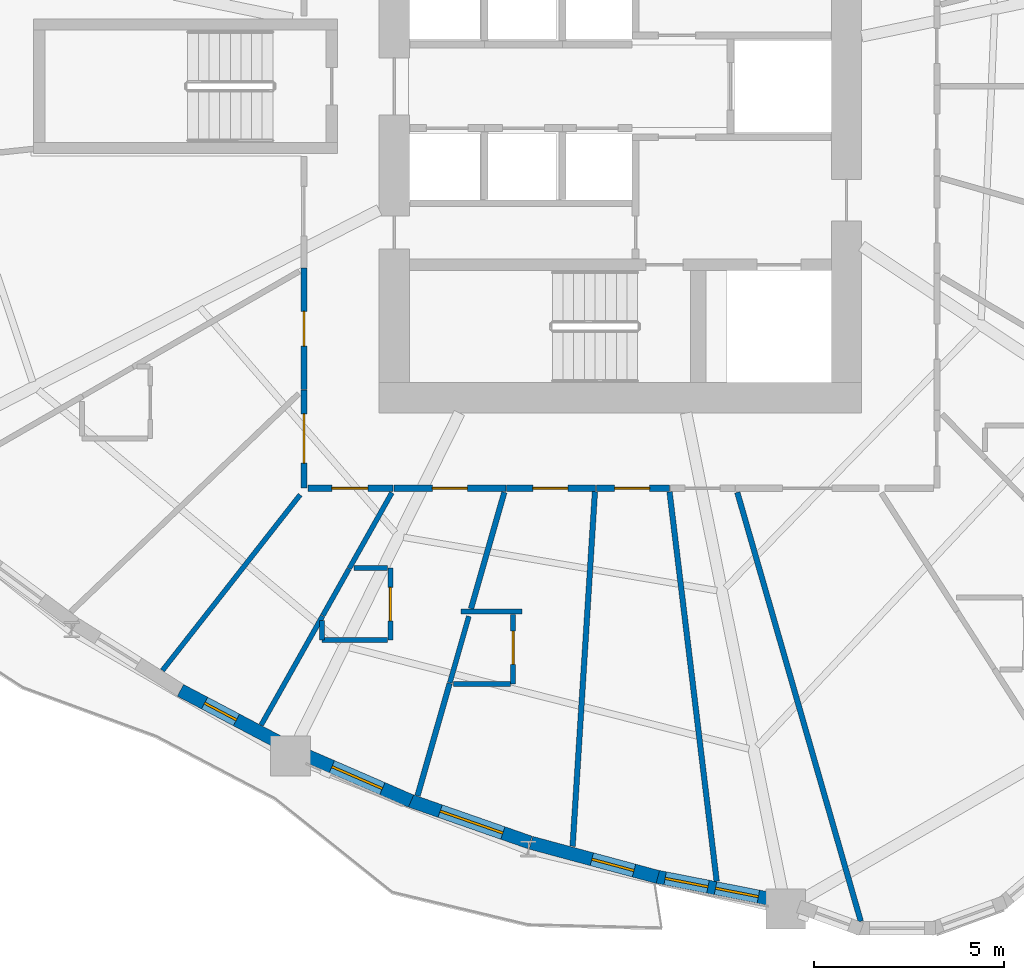
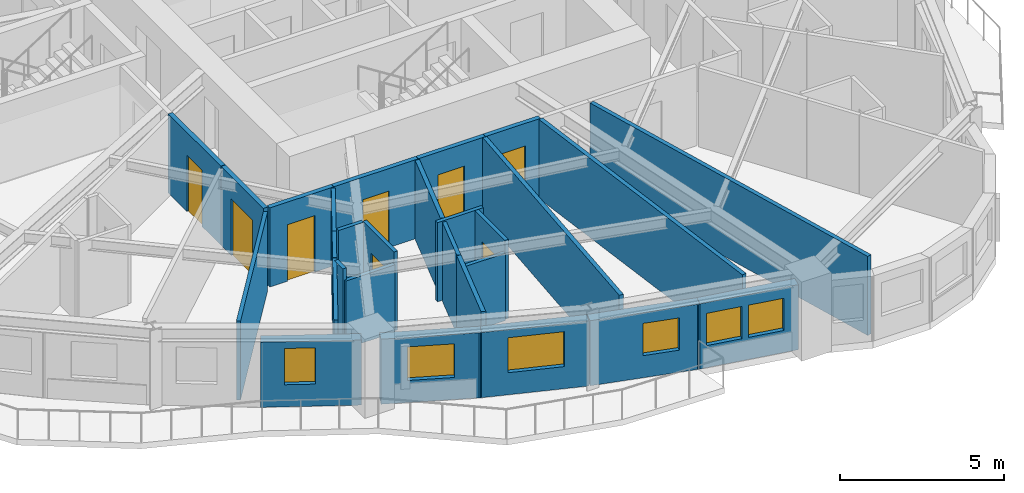
# One storey, part 3 of 14: 28 walls, 8 doors, 6 windows, 14 openings.
"""IFC4 building model written with IfcOpenShell, lengths in metres."""

from ifc_helpers import new_model, si_unit, direction, frame, frame_2d, origin, place, context, subcontext, project, spatial, rectangle, extrude, source, transform, mapped, material, layer, layer_set, type_object, element, fill, save


model = new_model("IFC4")

# Units and contexts
model_context = context("Model", 3, precision=1e-05, world=origin(), true_north=direction((0.0, 1.0)))
body_context = subcontext(model_context, "Body", "Model", "MODEL_VIEW")
ifc_project = project(units=[si_unit("LENGTHUNIT", "METRE"), si_unit("AREAUNIT", "SQUARE_METRE"), si_unit("VOLUMEUNIT", "CUBIC_METRE"), si_unit("PLANEANGLEUNIT", "RADIAN"), si_unit("MASSUNIT", "GRAM", prefix="KILO")], contexts=[model_context])

# Site, building, storey
site_placement = place(None, origin())
site = spatial("IfcSite", under=ifc_project, at=site_placement, CompositionType="ELEMENT")
building_placement = place(site_placement, origin())
building = spatial("IfcBuilding", under=site, at=building_placement, Name="Qafzar Sky-Pleat Residences", CompositionType="ELEMENT")
storey_placement = place(building_placement, frame((0.0, 0.0, 11.0)))
storey = spatial("IfcBuildingStorey", under=building, at=storey_placement, Name="L02", CompositionType="ELEMENT", Elevation=11.0)

# Wall, opening, door
ifc_material_1 = material(Name="Acoustic gypsum plasterboard partition", Category="gypsum")
ifc_layer_1 = layer(ifc_material_1, 0.159912109375)
ifc_layer_set_1 = layer_set([ifc_layer_1], Name="Acoustic gypsum plasterboard partition")
wall_type_1 = type_object("IfcWallType", Name="PART-COR-160", PredefinedType="PARTITIONING", material=ifc_layer_set_1)
wall_1_placement = place(storey_placement, frame((22.02001953125, 18.013916015625, 0.0), z_axis=(0.0, 0.0, 1.0), x_axis=(0.0, 1.0, 0.0)))
wall_1 = element("IfcWall", 1, at=wall_1_placement, inside=storey, type_object=wall_type_1, Name="L02 Partition Wall PART-L02-PW-005", PredefinedType="PARTITIONING", context=body_context, shape_type="SweptSolid", body=[
    extrude(rectangle(XDim=3.2041015625, YDim=0.159912109375, at=frame_2d((1.60205078125, 0.0))), origin(), (0.0, 0.0, 1.0), 2.93994140625),
])
opening_1_placement = place(wall_1_placement, frame((1.14404296875, 0.0, 0.0)))
opening_1 = element("IfcOpeningElement", 2, at=opening_1_placement, cuts=wall_1, Name="Opening ID-04", PredefinedType="OPENING", context=body_context, shape_type="SweptSolid", body=[
    extrude(rectangle(XDim=0.919921875, YDim=2.10009765625, at=frame_2d((0.4599609375, 1.050048828125))), frame((0.0, 0.08984375, 0.0), z_axis=(0.0, -1.0, 0.0), x_axis=(1.0, 0.0, 0.0)), (0.0, 0.0, 1.0), 0.179931640625),
])
ifc_material_2 = material(Name="Timber-faced fire door", Category="wood")
door_type_1 = type_object("IfcDoorType", Name="DR-BED-920", OperationType="NOTDEFINED", PredefinedType="DOOR", material=ifc_material_2)
shared_shape_1 = source(origin(), body_context, "Body", "SweptSolid", [
    extrude(rectangle(XDim=0.919921875, YDim=2.10009765625, at=frame_2d((0.4599609375, 1.050048828125))), frame((0.0, 0.02490234375, 0.0), z_axis=(0.0, -1.0, 0.0), x_axis=(1.0, 0.0, 0.0)), (0.0, 0.0, 1.0), 0.050048828125),
])
door_1_placement = place(opening_1_placement, origin())
door_1 = element("IfcDoor", 3, at=door_1_placement, inside=storey, type_object=door_type_1, Name="L02 Co-Living Bedroom 12 Door", OperationType="SINGLE_SWING_LEFT", OverallHeight=2.10009765625, OverallWidth=0.919921875, PredefinedType="DOOR", context=body_context, shape_type="MappedRepresentation", body=[
    mapped(shared_shape_1, transform((0.0, 0.0, 0.0), x_axis=(1.0, 0.0, 0.0), y_axis=(0.0, 1.0, 0.0), z_axis=(0.0, 0.0, 1.0), scale=1.0)),
])
fill(opening_1, door_1)

wall_2_placement = place(storey_placement, frame((27.340087890625, 15.419921875, 0.0), z_axis=(0.0, 0.0, 1.0), x_axis=(-1.0, 0.0, 0.0)))
wall_2 = element("IfcWall", 4, at=wall_2_placement, inside=storey, type_object=wall_type_1, Name="L02 Partition Wall PART-L02-PW-009", PredefinedType="PARTITIONING", context=body_context, shape_type="SweptSolid", body=[
    extrude(rectangle(XDim=2.95703125, YDim=0.159912109375, at=frame_2d((1.478515625, 0.0))), origin(), (0.0, 0.0, 1.0), 2.93994140625),
])
opening_2_placement = place(wall_2_placement, frame((1.01806640625, 0.0, 0.0)))
opening_2 = element("IfcOpeningElement", 5, at=opening_2_placement, cuts=wall_2, Name="Opening ID-04", PredefinedType="OPENING", context=body_context, shape_type="SweptSolid", body=[
    extrude(rectangle(XDim=0.919921875, YDim=2.10009765625, at=frame_2d((0.4599609375, 1.050048828125))), frame((0.0, 0.08984375, 0.0), z_axis=(0.0, -1.0, 0.0), x_axis=(1.0, 0.0, 0.0)), (0.0, 0.0, 1.0), 0.179931640625),
])
door_2_placement = place(opening_2_placement, origin())
door_2 = element("IfcDoor", 6, at=door_2_placement, inside=storey, type_object=door_type_1, Name="L02 Co-Living Bedroom 13 Door", OperationType="SINGLE_SWING_RIGHT", OverallHeight=2.10009765625, OverallWidth=0.919921875, PredefinedType="DOOR", context=body_context, shape_type="MappedRepresentation", body=[
    mapped(shared_shape_1, transform((0.0, 0.0, 0.0), x_axis=(1.0, 0.0, 0.0), y_axis=(0.0, 1.0, 0.0), z_axis=(0.0, 0.0, 1.0), scale=1.0)),
])
fill(opening_2, door_2)

wall_3_placement = place(storey_placement, frame((22.02001953125, 15.419921875, 0.0), z_axis=(0.0, 0.0, 1.0), x_axis=(0.0, 1.0, 0.0)))
wall_3 = element("IfcWall", 7, at=wall_3_placement, inside=storey, type_object=wall_type_1, Name="L02 Partition Wall PART-L02-PW-011", PredefinedType="PARTITIONING", context=body_context, shape_type="SweptSolid", body=[
    extrude(rectangle(XDim=2.5791015625, YDim=0.159912109375, at=frame_2d((1.28955078125, 0.0))), origin(), (0.0, 0.0, 1.0), 2.93994140625),
])
opening_3_placement = place(wall_3_placement, frame((0.657470703125, 0.0, 0.0)))
opening_3 = element("IfcOpeningElement", 8, at=opening_3_placement, cuts=wall_3, Name="Opening ID-05", PredefinedType="OPENING", context=body_context, shape_type="SweptSolid", body=[
    extrude(rectangle(XDim=1.300048828125, YDim=2.10009765625, at=frame_2d((0.64990234375, 1.050048828125))), frame((0.0, 0.08984375, 0.0), z_axis=(0.0, -1.0, 0.0), x_axis=(1.0, 0.0, 0.0)), (0.0, 0.0, 1.0), 0.179931640625),
])
door_type_2 = type_object("IfcDoorType", Name="DR-LNG-1300", OperationType="DOUBLE_DOOR_SINGLE_SWING", PredefinedType="DOOR", material=ifc_material_2)
shared_shape_2 = source(origin(), body_context, "Body", "SweptSolid", [
    extrude(rectangle(XDim=1.300048828125, YDim=2.10009765625, at=frame_2d((0.64990234375, 1.050048828125))), frame((0.0, 0.02490234375, 0.0), z_axis=(0.0, -1.0, 0.0), x_axis=(1.0, 0.0, 0.0)), (0.0, 0.0, 1.0), 0.050048828125),
])
door_3_placement = place(opening_3_placement, origin())
door_3 = element("IfcDoor", 9, at=door_3_placement, inside=storey, type_object=door_type_2, Name="L02 Scholar Study Room Door", OperationType="DOUBLE_DOOR_SINGLE_SWING", OverallHeight=2.10009765625, OverallWidth=1.300048828125, PredefinedType="DOOR", context=body_context, shape_type="MappedRepresentation", body=[
    mapped(shared_shape_2, transform((0.0, 0.0, 0.0), x_axis=(1.0, 0.0, 0.0), y_axis=(0.0, 1.0, 0.0), z_axis=(0.0, 0.0, 1.0), scale=1.0)),
])
fill(opening_3, door_3)

wall_4_placement = place(storey_placement, frame((29.698974609375, 15.419921875, 0.0), z_axis=(0.0, 0.0, 1.0), x_axis=(-1.0, 0.0, 0.0)))
wall_4 = element("IfcWall", 10, at=wall_4_placement, inside=storey, type_object=wall_type_1, Name="L02 Partition Wall PART-L02-PW-016", PredefinedType="PARTITIONING", context=body_context, shape_type="SweptSolid", body=[
    extrude(rectangle(XDim=2.343994140625, YDim=0.159912109375, at=frame_2d((1.171875, 0.0))), origin(), (0.0, 0.0, 1.0), 2.93994140625),
])
opening_4_placement = place(wall_4_placement, frame((0.735107421875, 0.0, 0.0)))
opening_4 = element("IfcOpeningElement", 11, at=opening_4_placement, cuts=wall_4, Name="Opening ID-04", PredefinedType="OPENING", context=body_context, shape_type="SweptSolid", body=[
    extrude(rectangle(XDim=0.919921875, YDim=2.10009765625, at=frame_2d((0.4599609375, 1.050048828125))), frame((0.0, 0.08984375, 0.0), z_axis=(0.0, -1.0, 0.0), x_axis=(1.0, 0.0, 0.0)), (0.0, 0.0, 1.0), 0.179931640625),
])
door_4_placement = place(opening_4_placement, origin())
door_4 = element("IfcDoor", 12, at=door_4_placement, inside=storey, type_object=door_type_1, Name="L02 Co-Living Bedroom 14 Door", OperationType="SINGLE_SWING_RIGHT", OverallHeight=2.10009765625, OverallWidth=0.919921875, PredefinedType="DOOR", context=body_context, shape_type="MappedRepresentation", body=[
    mapped(shared_shape_1, transform((0.0, 0.0, 0.0), x_axis=(1.0, 0.0, 0.0), y_axis=(0.0, 1.0, 0.0), z_axis=(0.0, 0.0, 1.0), scale=1.0)),
])
fill(opening_4, door_4)

wall_5_placement = place(storey_placement, frame((24.367919921875, 15.419921875, 0.0), z_axis=(0.0, 0.0, 1.0), x_axis=(-1.0, 0.0, 0.0)))
wall_5 = element("IfcWall", 13, at=wall_5_placement, inside=storey, type_object=wall_type_1, Name="L02 Partition Wall PART-L02-PW-017", PredefinedType="PARTITIONING", context=body_context, shape_type="SweptSolid", body=[
    extrude(rectangle(XDim=2.243896484375, YDim=0.159912109375, at=frame_2d((1.1220703125, 0.0))), origin(), (0.0, 0.0, 1.0), 2.93994140625),
])
opening_5_placement = place(wall_5_placement, frame((0.66552734375, 0.0, 0.0)))
opening_5 = element("IfcOpeningElement", 14, at=opening_5_placement, cuts=wall_5, Name="Opening ID-08", PredefinedType="OPENING", context=body_context, shape_type="SweptSolid", body=[
    extrude(rectangle(XDim=0.949951171875, YDim=2.10009765625, at=frame_2d((0.47509765625, 1.050048828125))), frame((0.0, 0.08984375, 0.0), z_axis=(0.0, -1.0, 0.0), x_axis=(1.0, 0.0, 0.0)), (0.0, 0.0, 1.0), 0.179931640625),
])
door_type_3 = type_object("IfcDoorType", Name="DR-AWC-950", OperationType="NOTDEFINED", PredefinedType="DOOR", material=ifc_material_2)
shared_shape_3 = source(origin(), body_context, "Body", "SweptSolid", [
    extrude(rectangle(XDim=0.949951171875, YDim=2.10009765625, at=frame_2d((0.47509765625, 1.050048828125))), frame((0.0, 0.02490234375, 0.0), z_axis=(0.0, -1.0, 0.0), x_axis=(1.0, 0.0, 0.0)), (0.0, 0.0, 1.0), 0.050048828125),
])
door_5_placement = place(opening_5_placement, origin())
door_5 = element("IfcDoor", 15, at=door_5_placement, inside=storey, type_object=door_type_3, Name="L02 Accessible Shared Washroom Door", OperationType="SINGLE_SWING_LEFT", OverallHeight=2.10009765625, OverallWidth=0.949951171875, PredefinedType="DOOR", context=body_context, shape_type="MappedRepresentation", body=[
    mapped(shared_shape_3, transform((0.0, 0.0, 0.0), x_axis=(1.0, 0.0, 0.0), y_axis=(0.0, 1.0, 0.0), z_axis=(0.0, 0.0, 1.0), scale=1.0)),
])
fill(opening_5, door_5)

wall_6_placement = place(storey_placement, frame((31.64599609375, 15.419921875, 0.0), z_axis=(0.0, 0.0, 1.0), x_axis=(-1.0, 0.0, 0.0)))
wall_6 = element("IfcWall", 16, at=wall_6_placement, inside=storey, type_object=wall_type_1, Name="L02 Partition Wall PART-L02-PW-023", PredefinedType="PARTITIONING", context=body_context, shape_type="SweptSolid", body=[
    extrude(rectangle(XDim=1.931884765625, YDim=0.159912109375, at=frame_2d((0.9658203125, 0.0))), origin(), (0.0, 0.0, 1.0), 2.93994140625),
])
opening_6_placement = place(wall_6_placement, frame((0.528564453125, 0.0, 0.0)))
opening_6 = element("IfcOpeningElement", 17, at=opening_6_placement, cuts=wall_6, Name="Opening ID-04", PredefinedType="OPENING", context=body_context, shape_type="SweptSolid", body=[
    extrude(rectangle(XDim=0.919921875, YDim=2.10009765625, at=frame_2d((0.4599609375, 1.050048828125))), frame((0.0, 0.08984375, 0.0), z_axis=(0.0, -1.0, 0.0), x_axis=(1.0, 0.0, 0.0)), (0.0, 0.0, 1.0), 0.179931640625),
])
door_6_placement = place(opening_6_placement, origin())
door_6 = element("IfcDoor", 18, at=door_6_placement, inside=storey, type_object=door_type_1, Name="L02 Co-Living Bedroom 15 Door", OperationType="SINGLE_SWING_RIGHT", OverallHeight=2.10009765625, OverallWidth=0.919921875, PredefinedType="DOOR", context=body_context, shape_type="MappedRepresentation", body=[
    mapped(shared_shape_1, transform((0.0, 0.0, 0.0), x_axis=(1.0, 0.0, 0.0), y_axis=(0.0, 1.0, 0.0), z_axis=(0.0, 0.0, 1.0), scale=1.0)),
])
fill(opening_6, door_6)

# Walls
ifc_layer_2 = layer(ifc_material_1, 0.14501953125)
ifc_layer_set_2 = layer_set([ifc_layer_2], Name="Acoustic gypsum plasterboard partition")
wall_type_2 = type_object("IfcWallType", Name="PART-UNIT-145", PredefinedType="PARTITIONING", material=ifc_layer_set_2)
wall_7_placement = place(storey_placement, frame((33.426025390625, 15.312255859375, 0.0), z_axis=(0.0, 0.0, 1.0), x_axis=(0.276606114731, -0.960983380342, 0.0)))
element("IfcWall", 19, at=wall_7_placement, inside=storey, type_object=wall_type_2, Name="L02 Partition Wall PART-L02-PW-039", PredefinedType="PARTITIONING", context=body_context, shape_type="SweptSolid", body=[
    extrude(rectangle(XDim=11.748779296875, YDim=0.14501953125, at=frame_2d((5.87451171875, 0.0))), origin(), (0.0, 0.0, 1.0), 2.93994140625),
])
wall_8_placement = place(storey_placement, frame((31.642578125, 15.3232421875, 0.0), z_axis=(0.0, 0.0, 1.0), x_axis=(0.120185874717, -0.992751406707, 0.0)))
element("IfcWall", 20, at=wall_8_placement, inside=storey, type_object=wall_type_2, Name="L02 Partition Wall PART-L02-PW-043", PredefinedType="PARTITIONING", context=body_context, shape_type="SweptSolid", body=[
    extrude(rectangle(XDim=10.323486328125, YDim=0.14501953125, at=frame_2d((5.16162109375, 0.0))), origin(), (0.0, 0.0, 1.0), 2.93994140625),
])
wall_9_placement = place(storey_placement, frame((29.091064453125, 5.995849609375, 0.0), z_axis=(0.0, 0.0, 1.0), x_axis=(0.062797687125, 0.998026277456, 0.0)))
element("IfcWall", 21, at=wall_9_placement, inside=storey, type_object=wall_type_2, Name="L02 Partition Wall PART-L02-PW-045", PredefinedType="PARTITIONING", context=body_context, shape_type="SweptSolid", body=[
    extrude(rectangle(XDim=9.35009765625, YDim=0.14501953125, at=frame_2d((4.675048828125, 0.0))), origin(), (0.0, 0.0, 1.0), 2.93994140625),
])
wall_10_placement = place(storey_placement, frame((26.41650390625, 12.24755859375, 0.0), z_axis=(0.0, 0.0, 1.0), x_axis=(0.275014447674, 0.961440093594, 0.0)))
element("IfcWall", 22, at=wall_10_placement, inside=storey, type_object=wall_type_2, Name="L02 Partition Wall PART-L02-PW-064", PredefinedType="PARTITIONING", context=body_context, shape_type="SweptSolid", body=[
    extrude(rectangle(XDim=3.187744140625, YDim=0.14501953125, at=frame_2d((1.59375, 0.0))), origin(), (0.0, 0.0, 1.0), 2.93994140625),
])
wall_11_placement = place(storey_placement, frame((25.00927734375, 7.32666015625, 0.0), z_axis=(0.0, 0.0, 1.0), x_axis=(0.274867847045, 0.961482015776, 0.0)))
element("IfcWall", 23, at=wall_11_placement, inside=storey, type_object=wall_type_2, Name="L02 Partition Wall PART-L02-PW-066", PredefinedType="PARTITIONING", context=body_context, shape_type="SweptSolid", body=[
    extrude(rectangle(XDim=3.07666015625, YDim=0.14501953125, at=frame_2d((1.538330078125, 0.0))), origin(), (0.0, 0.0, 1.0), 2.93994140625),
])

# Wall, opening, door
ifc_material_3 = material(Name="Moisture-resistant gypsum partition", Category="gypsum")
ifc_layer_3 = layer(ifc_material_3, 0.1298828125)
ifc_layer_set_3 = layer_set([ifc_layer_3], Name="Moisture-resistant gypsum partition")
wall_type_3 = type_object("IfcWallType", Name="PART-WET-130", PredefinedType="PARTITIONING", material=ifc_layer_set_3)
wall_12_placement = place(storey_placement, frame((24.29296875, 11.4208984375, 0.0), z_axis=(0.0, 0.0, 1.0), x_axis=(0.0, 1.0, 0.0)))
wall_12 = element("IfcWall", 24, at=wall_12_placement, inside=storey, type_object=wall_type_3, Name="L02 Partition Wall PART-L02-PW-025", PredefinedType="PARTITIONING", context=body_context, shape_type="SweptSolid", body=[
    extrude(rectangle(XDim=1.900146484375, YDim=0.1298828125, at=frame_2d((0.9501953125, 0.0))), origin(), (0.0, 0.0, 1.0), 2.93994140625),
])
opening_7_placement = place(wall_12_placement, frame((0.510009765625, 0.0, 0.0)))
opening_7 = element("IfcOpeningElement", 25, at=opening_7_placement, cuts=wall_12, Name="Opening ID-07", PredefinedType="OPENING", context=body_context, shape_type="SweptSolid", body=[
    extrude(rectangle(XDim=0.8798828125, YDim=2.050048828125, at=frame_2d((0.43994140625, 1.02490234375))), frame((0.0, 0.074951171875, 0.0), z_axis=(0.0, -1.0, 0.0), x_axis=(1.0, 0.0, 0.0)), (0.0, 0.0, 1.0), 0.14990234375),
])
door_type_4 = type_object("IfcDoorType", Name="DR-WET-880", OperationType="NOTDEFINED", PredefinedType="DOOR", material=ifc_material_2)
shared_shape_4 = source(origin(), body_context, "Body", "SweptSolid", [
    extrude(rectangle(XDim=0.8798828125, YDim=2.050048828125, at=frame_2d((0.43994140625, 1.02490234375))), frame((0.0, 0.02490234375, 0.0), z_axis=(0.0, -1.0, 0.0), x_axis=(1.0, 0.0, 0.0)), (0.0, 0.0, 1.0), 0.050048828125),
])
door_7_placement = place(opening_7_placement, origin())
door_7 = element("IfcDoor", 26, at=door_7_placement, inside=storey, type_object=door_type_4, Name="L02 En-suite Bathroom 13 Door", OperationType="SINGLE_SWING_RIGHT", OverallHeight=2.050048828125, OverallWidth=0.8798828125, PredefinedType="DOOR", context=body_context, shape_type="MappedRepresentation", body=[
    mapped(shared_shape_4, transform((0.0, 0.0, 0.0), x_axis=(1.0, 0.0, 0.0), y_axis=(0.0, 1.0, 0.0), z_axis=(0.0, 0.0, 1.0), scale=1.0)),
])
fill(opening_7, door_7)

wall_13_placement = place(storey_placement, frame((27.52392578125, 10.27001953125, 0.0), z_axis=(0.0, 0.0, 1.0), x_axis=(0.0, 1.0, 0.0)))
wall_13 = element("IfcWall", 27, at=wall_13_placement, inside=storey, type_object=wall_type_3, Name="L02 Partition Wall PART-L02-PW-026", PredefinedType="PARTITIONING", context=body_context, shape_type="SweptSolid", body=[
    extrude(rectangle(XDim=1.826904296875, YDim=0.1298828125, at=frame_2d((0.91357421875, 0.0))), origin(), (0.0, 0.0, 1.0), 2.93994140625),
])
opening_8_placement = place(wall_13_placement, frame((0.510009765625, 0.0, 0.0)))
opening_8 = element("IfcOpeningElement", 28, at=opening_8_placement, cuts=wall_13, Name="Opening ID-07", PredefinedType="OPENING", context=body_context, shape_type="SweptSolid", body=[
    extrude(rectangle(XDim=0.8798828125, YDim=2.050048828125, at=frame_2d((0.43994140625, 1.02490234375))), frame((0.0, 0.074951171875, 0.0), z_axis=(0.0, -1.0, 0.0), x_axis=(1.0, 0.0, 0.0)), (0.0, 0.0, 1.0), 0.14990234375),
])
door_8_placement = place(opening_8_placement, origin())
door_8 = element("IfcDoor", 29, at=door_8_placement, inside=storey, type_object=door_type_4, Name="L02 En-suite Bathroom 14 Door", OperationType="SINGLE_SWING_LEFT", OverallHeight=2.050048828125, OverallWidth=0.8798828125, PredefinedType="DOOR", context=body_context, shape_type="MappedRepresentation", body=[
    mapped(shared_shape_4, transform((0.0, 0.0, 0.0), x_axis=(1.0, 0.0, 0.0), y_axis=(0.0, 1.0, 0.0), z_axis=(0.0, 0.0, 1.0), scale=1.0)),
])
fill(opening_8, door_8)

# Walls
wall_14_placement = place(storey_placement, frame((18.29638671875, 10.624755859375, 0.0), z_axis=(0.0, 0.0, 1.0), x_axis=(0.616906721473, 0.787036274261, 0.0)))
element("IfcWall", 30, at=wall_14_placement, inside=storey, type_object=wall_type_3, Name="L02 Partition Wall PART-L02-PW-054", PredefinedType="PARTITIONING", context=body_context, shape_type="SweptSolid", body=[
    extrude(rectangle(XDim=5.8720703125, YDim=0.1298828125, at=frame_2d((2.93603515625, 0.0))), origin(), (0.0, 0.0, 1.0), 2.93994140625),
])
wall_15_placement = place(storey_placement, frame((20.8935546875, 9.18701171875, 0.0), z_axis=(0.0, 0.0, 1.0), x_axis=(0.490433761368, 0.871478471169, 0.0)))
element("IfcWall", 31, at=wall_15_placement, inside=storey, type_object=wall_type_3, Name="L02 Partition Wall PART-L02-PW-065", PredefinedType="PARTITIONING", context=body_context, shape_type="SweptSolid", body=[
    extrude(rectangle(XDim=3.2919921875, YDim=0.1298828125, at=frame_2d((1.64599609375, 0.0))), origin(), (0.0, 0.0, 1.0), 2.93994140625),
])
wall_16_placement = place(storey_placement, frame((23.2109375, 13.305908203125, 0.0), z_axis=(0.0, 0.0, 1.0), x_axis=(0.490235923681, 0.871589776864, 0.0)))
element("IfcWall", 32, at=wall_16_placement, inside=storey, type_object=wall_type_3, Name="L02 Partition Wall PART-L02-PW-074", PredefinedType="PARTITIONING", context=body_context, shape_type="SweptSolid", body=[
    extrude(rectangle(XDim=2.289306640625, YDim=0.1298828125, at=frame_2d((1.14453125, 0.0))), origin(), (0.0, 0.0, 1.0), 2.93994140625),
])
wall_17_placement = place(storey_placement, frame((25.859619140625, 10.29931640625, 0.0), z_axis=(0.0, 0.0, 1.0), x_axis=(0.275022188369, 0.961437879379, 0.0)))
element("IfcWall", 33, at=wall_17_placement, inside=storey, type_object=wall_type_3, Name="L02 Partition Wall PART-L02-PW-075", PredefinedType="PARTITIONING", context=body_context, shape_type="SweptSolid", body=[
    extrude(rectangle(XDim=1.82080078125, YDim=0.1298828125, at=frame_2d((0.910400390625, 0.0))), origin(), (0.0, 0.0, 1.0), 2.93994140625),
])
wall_18_placement = place(storey_placement, frame((22.492919921875, 11.4208984375, 0.0), z_axis=(0.0, 0.0, 1.0), x_axis=(1.0, 0.0, 0.0)))
element("IfcWall", 34, at=wall_18_placement, inside=storey, type_object=wall_type_3, Name="L02 Partition Wall PART-L02-PW-085", PredefinedType="PARTITIONING", context=body_context, shape_type="SweptSolid", body=[
    extrude(rectangle(XDim=1.72705078125, YDim=0.1298828125, at=frame_2d((0.863525390625, 0.0))), origin(), (0.0, 0.0, 1.0), 2.508056640625),
])
wall_19_placement = place(storey_placement, frame((25.952880859375, 10.27001953125, 0.0), z_axis=(0.0, 0.0, 1.0), x_axis=(1.0, 0.0, 0.0)))
element("IfcWall", 35, at=wall_19_placement, inside=storey, type_object=wall_type_3, Name="L02 Partition Wall PART-L02-PW-096", PredefinedType="PARTITIONING", context=body_context, shape_type="SweptSolid", body=[
    extrude(rectangle(XDim=1.498046875, YDim=0.1298828125, at=frame_2d((0.7490234375, 0.0))), origin(), (0.0, 0.0, 1.0), 2.508056640625),
])
wall_20_placement = place(storey_placement, frame((22.51513671875, 12.069091796875, 0.0), z_axis=(0.0, 0.0, 1.0), x_axis=(0.490286002917, 0.871561607314, 0.0)))
element("IfcWall", 36, at=wall_20_placement, inside=storey, type_object=wall_type_3, Name="L02 Partition Wall PART-L02-PW-100", PredefinedType="PARTITIONING", context=body_context, shape_type="SweptSolid", body=[
    extrude(rectangle(XDim=1.404296875, YDim=0.1298828125, at=frame_2d((0.7021484375, 0.0))), origin(), (0.0, 0.0, 1.0), 2.93994140625),
])
wall_21_placement = place(storey_placement, frame((26.155029296875, 12.169921875, 0.0), z_axis=(0.0, 0.0, 1.0), x_axis=(1.0, 0.0, 0.0)))
element("IfcWall", 37, at=wall_21_placement, inside=storey, type_object=wall_type_3, Name="L02 Partition Wall PART-L02-PW-105", PredefinedType="PARTITIONING", context=body_context, shape_type="SweptSolid", body=[
    extrude(rectangle(XDim=1.60888671875, YDim=0.1298828125, at=frame_2d((0.804443359375, 0.0))), origin(), (0.0, 0.0, 1.0), 2.93994140625),
])
wall_22_placement = place(storey_placement, frame((23.338134765625, 13.321044921875, 0.0), z_axis=(0.0, 0.0, 1.0), x_axis=(1.0, 0.0, 0.0)))
element("IfcWall", 38, at=wall_22_placement, inside=storey, type_object=wall_type_3, Name="L02 Partition Wall PART-L02-PW-107", PredefinedType="PARTITIONING", context=body_context, shape_type="SweptSolid", body=[
    extrude(rectangle(XDim=0.8818359375, YDim=0.1298828125, at=frame_2d((0.44091796875, 0.0))), origin(), (0.0, 0.0, 1.0), 2.93994140625),
])
wall_23_placement = place(storey_placement, frame((22.492919921875, 11.4208984375, 0.0), z_axis=(0.0, 0.0, 1.0), x_axis=(0.0, 1.0, 0.0)))
element("IfcWall", 39, at=wall_23_placement, inside=storey, type_object=wall_type_3, Name="L02 Partition Wall PART-L02-PW-116", PredefinedType="PARTITIONING", context=body_context, shape_type="SweptSolid", body=[
    extrude(rectangle(XDim=0.51904296875, YDim=0.1298828125, at=frame_2d((0.259521484375, 0.0))), origin(), (0.0, 0.0, 1.0), 2.93994140625),
])

# Wall, opening, window
ifc_material_4 = material(Name="Precast concrete C40/50 with honed Riyadh limestone", Category="concrete")
ifc_layer_4 = layer(ifc_material_4, 0.35009765625)
ifc_layer_set_4 = layer_set([ifc_layer_4], Name="Precast concrete C40/50 with honed Riyadh limestone")
wall_type_4 = type_object("IfcWallType", Name="WALL-EXT-350", PredefinedType="SOLIDWALL", material=ifc_layer_set_4)
wall_24_placement = place(storey_placement, frame((18.7685546875, 10.099609375, 0.0), z_axis=(0.0, 0.0, 1.0), x_axis=(0.884401188265, -0.466727477438, 0.0)))
wall_24 = element("IfcWall", 40, at=wall_24_placement, inside=storey, type_object=wall_type_4, Name="L02 Limestone Facade Wall 12", PredefinedType="SOLIDWALL", context=body_context, shape_type="SweptSolid", body=[
    extrude(rectangle(XDim=3.06591796875, YDim=0.35009765625, at=frame_2d((1.532958984375, 0.0))), origin(), (0.0, 0.0, 1.0), 2.419921875),
])
opening_9_placement = place(wall_24_placement, frame((0.71728515625, 0.0, 0.820068359375)))
opening_9 = element("IfcOpeningElement", 41, at=opening_9_placement, cuts=wall_24, Name="Opening WN-12", PredefinedType="OPENING", context=body_context, shape_type="SweptSolid", body=[
    extrude(rectangle(XDim=0.949951171875, YDim=1.35009765625, at=frame_2d((0.47509765625, 0.675048828125))), frame((0.0, 0.18505859375, 0.0), z_axis=(0.0, -1.0, 0.0), x_axis=(1.0, 0.0, 0.0)), (0.0, 0.0, 1.0), 0.3701171875),
])
ifc_material_5 = material(Name="Solar-control low-E glass in bronze aluminium frame", Category="glass")
window_type_1 = type_object("IfcWindowType", Name="WIN-12", PartitioningType="SINGLE_PANEL", PredefinedType="WINDOW", material=ifc_material_5)
shared_shape_5 = source(origin(), body_context, "Body", "SweptSolid", [
    extrude(rectangle(XDim=0.949951171875, YDim=1.35009765625, at=frame_2d((0.47509765625, 0.675048828125))), frame((0.0, 0.030029296875, 0.0), z_axis=(0.0, -1.0, 0.0), x_axis=(1.0, 0.0, 0.0)), (0.0, 0.0, 1.0), 0.06005859375),
])
window_1_placement = place(opening_9_placement, origin())
window_1 = element("IfcWindow", 42, at=window_1_placement, inside=storey, type_object=window_type_1, Name="L02 Punched Facade Window 12", OverallHeight=1.35009765625, OverallWidth=0.949951171875, PartitioningType="SINGLE_PANEL", PredefinedType="WINDOW", context=body_context, shape_type="MappedRepresentation", body=[
    mapped(shared_shape_5, transform((0.0, 0.0, 0.0), x_axis=(1.0, 0.0, 0.0), y_axis=(0.0, 1.0, 0.0), z_axis=(0.0, 0.0, 1.0), scale=1.0)),
])
fill(opening_9, window_1)

wall_25_placement = place(storey_placement, frame((22.008544921875, 8.414794921875, 0.0), z_axis=(0.0, 0.0, 1.0), x_axis=(0.917077605242, -0.398708748292, 0.0)))
wall_25 = element("IfcWall", 43, at=wall_25_placement, inside=storey, type_object=wall_type_4, Name="L02 Limestone Facade Wall 13", PredefinedType="SOLIDWALL", context=body_context, shape_type="SweptSolid", body=[
    extrude(rectangle(XDim=3.0849609375, YDim=0.35009765625, at=frame_2d((1.54248046875, 0.0))), origin(), (0.0, 0.0, 1.0), 2.419921875),
])
opening_10_placement = place(wall_25_placement, frame((0.8125, 0.0, 0.820068359375)))
opening_10 = element("IfcOpeningElement", 44, at=opening_10_placement, cuts=wall_25, Name="Opening WN-15", PredefinedType="OPENING", context=body_context, shape_type="SweptSolid", body=[
    extrude(rectangle(XDim=1.449951171875, YDim=1.25, at=frame_2d((0.72509765625, 0.625))), frame((0.0, 0.18505859375, 0.0), z_axis=(0.0, -1.0, 0.0), x_axis=(1.0, 0.0, 0.0)), (0.0, 0.0, 1.0), 0.3701171875),
])
window_type_2 = type_object("IfcWindowType", Name="WIN-15", PartitioningType="SINGLE_PANEL", PredefinedType="WINDOW", material=ifc_material_5)
shared_shape_6 = source(origin(), body_context, "Body", "SweptSolid", [
    extrude(rectangle(XDim=1.449951171875, YDim=1.25, at=frame_2d((0.72509765625, 0.625))), frame((0.0, 0.030029296875, 0.0), z_axis=(0.0, -1.0, 0.0), x_axis=(1.0, 0.0, 0.0)), (0.0, 0.0, 1.0), 0.06005859375),
])
window_2_placement = place(opening_10_placement, origin())
window_2 = element("IfcWindow", 45, at=window_2_placement, inside=storey, type_object=window_type_2, Name="L02 Punched Facade Window 13", OverallHeight=1.25, OverallWidth=1.449951171875, PartitioningType="SINGLE_PANEL", PredefinedType="WINDOW", context=body_context, shape_type="MappedRepresentation", body=[
    mapped(shared_shape_6, transform((0.0, 0.0, 0.0), x_axis=(1.0, 0.0, 0.0), y_axis=(0.0, 1.0, 0.0), z_axis=(0.0, 0.0, 1.0), scale=1.0)),
])
fill(opening_10, window_2)

wall_26_placement = place(storey_placement, frame((24.7548828125, 7.217041015625, 0.0), z_axis=(0.0, 0.0, 1.0), x_axis=(0.944148800827, -0.329519410501, 0.0)))
wall_26 = element("IfcWall", 46, at=wall_26_placement, inside=storey, type_object=wall_type_4, Name="L02 Limestone Facade Wall 14", PredefinedType="SOLIDWALL", context=body_context, shape_type="SweptSolid", body=[
    extrude(rectangle(XDim=3.40283203125, YDim=0.35009765625, at=frame_2d((1.701416015625, 0.0))), origin(), (0.0, 0.0, 1.0), 2.419921875),
])
opening_11_placement = place(wall_26_placement, frame((0.899169921875, 0.0, 0.820068359375)))
opening_11 = element("IfcOpeningElement", 47, at=opening_11_placement, cuts=wall_26, Name="Opening WN-14", PredefinedType="OPENING", context=body_context, shape_type="SweptSolid", body=[
    extrude(rectangle(XDim=1.75, YDim=1.300048828125, at=frame_2d((0.875, 0.64990234375))), frame((0.0, 0.18505859375, 0.0), z_axis=(0.0, -1.0, 0.0), x_axis=(1.0, 0.0, 0.0)), (0.0, 0.0, 1.0), 0.3701171875),
])
window_type_3 = type_object("IfcWindowType", Name="WIN-14", PartitioningType="DOUBLE_PANEL_VERTICAL", PredefinedType="WINDOW", material=ifc_material_5)
shared_shape_7 = source(origin(), body_context, "Body", "SweptSolid", [
    extrude(rectangle(XDim=1.75, YDim=1.300048828125, at=frame_2d((0.875, 0.64990234375))), frame((0.0, 0.030029296875, 0.0), z_axis=(0.0, -1.0, 0.0), x_axis=(1.0, 0.0, 0.0)), (0.0, 0.0, 1.0), 0.06005859375),
])
window_3_placement = place(opening_11_placement, origin())
window_3 = element("IfcWindow", 48, at=window_3_placement, inside=storey, type_object=window_type_3, Name="L02 Punched Facade Window 14", OverallHeight=1.300048828125, OverallWidth=1.75, PartitioningType="SINGLE_PANEL", PredefinedType="WINDOW", context=body_context, shape_type="MappedRepresentation", body=[
    mapped(shared_shape_7, transform((0.0, 0.0, 0.0), x_axis=(1.0, 0.0, 0.0), y_axis=(0.0, 1.0, 0.0), z_axis=(0.0, 0.0, 1.0), scale=1.0)),
])
fill(opening_11, window_3)

wall_27_placement = place(storey_placement, frame((27.993896484375, 6.087646484375, 0.0), z_axis=(0.0, 0.0, 1.0), x_axis=(0.965452701472, -0.260578359079, 0.0)))
wall_27 = element("IfcWall", 49, at=wall_27_placement, inside=storey, type_object=wall_type_4, Name="L02 Limestone Facade Wall 15", PredefinedType="SOLIDWALL", context=body_context, shape_type="SweptSolid", body=[
    extrude(rectangle(XDim=3.458984375, YDim=0.35009765625, at=frame_2d((1.7294921875, 0.0))), origin(), (0.0, 0.0, 1.0), 2.419921875),
])
opening_12_placement = place(wall_27_placement, frame((1.65966796875, 0.0, 0.820068359375)))
opening_12 = element("IfcOpeningElement", 50, at=opening_12_placement, cuts=wall_27, Name="Opening WN-16", PredefinedType="OPENING", context=body_context, shape_type="SweptSolid", body=[
    extrude(rectangle(XDim=1.14990234375, YDim=1.199951171875, at=frame_2d((0.574951171875, 0.60009765625))), frame((0.0, 0.18505859375, 0.0), z_axis=(0.0, -1.0, 0.0), x_axis=(1.0, 0.0, 0.0)), (0.0, 0.0, 1.0), 0.3701171875),
])
window_type_4 = type_object("IfcWindowType", Name="WIN-16", PartitioningType="SINGLE_PANEL", PredefinedType="WINDOW", material=ifc_material_5)
shared_shape_8 = source(origin(), body_context, "Body", "SweptSolid", [
    extrude(rectangle(XDim=1.14990234375, YDim=1.199951171875, at=frame_2d((0.574951171875, 0.60009765625))), frame((0.0, 0.030029296875, 0.0), z_axis=(0.0, -1.0, 0.0), x_axis=(1.0, 0.0, 0.0)), (0.0, 0.0, 1.0), 0.06005859375),
])
window_4_placement = place(opening_12_placement, origin())
window_4 = element("IfcWindow", 51, at=window_4_placement, inside=storey, type_object=window_type_4, Name="L02 Punched Facade Window 15-2", OverallHeight=1.199951171875, OverallWidth=1.14990234375, PartitioningType="SINGLE_PANEL", PredefinedType="WINDOW", context=body_context, shape_type="MappedRepresentation", body=[
    mapped(shared_shape_8, transform((0.0, 0.0, 0.0), x_axis=(1.0, 0.0, 0.0), y_axis=(0.0, 1.0, 0.0), z_axis=(0.0, 0.0, 1.0), scale=1.0)),
])
fill(opening_12, window_4)

# Wall, openings, windows
wall_28_placement = place(storey_placement, frame((31.247802734375, 5.206298828125, 0.0), z_axis=(0.0, 0.0, 1.0), x_axis=(0.981233354077, -0.192824025597, 0.0)))
wall_28 = element("IfcWall", 52, at=wall_28_placement, inside=storey, type_object=wall_type_4, Name="L02 Limestone Facade Wall 16", PredefinedType="SOLIDWALL", context=body_context, shape_type="SweptSolid", body=[
    extrude(rectangle(XDim=3.252685546875, YDim=0.35009765625, at=frame_2d((1.62646484375, 0.0))), origin(), (0.0, 0.0, 1.0), 2.419921875),
])
opening_13_placement = place(wall_28_placement, frame((0.28369140625, 0.0, 0.820068359375)))
opening_13 = element("IfcOpeningElement", 53, at=opening_13_placement, cuts=wall_28, Name="Opening WN-16", PredefinedType="OPENING", context=body_context, shape_type="SweptSolid", body=[
    extrude(rectangle(XDim=1.14990234375, YDim=1.199951171875, at=frame_2d((0.574951171875, 0.60009765625))), frame((0.0, 0.18505859375, 0.0), z_axis=(0.0, -1.0, 0.0), x_axis=(1.0, 0.0, 0.0)), (0.0, 0.0, 1.0), 0.3701171875),
])
opening_14_placement = place(wall_28_placement, frame((1.635009765625, 0.0, 0.820068359375)))
opening_14 = element("IfcOpeningElement", 54, at=opening_14_placement, cuts=wall_28, Name="Opening WN-16", PredefinedType="OPENING", context=body_context, shape_type="SweptSolid", body=[
    extrude(rectangle(XDim=1.14990234375, YDim=1.199951171875, at=frame_2d((0.574951171875, 0.60009765625))), frame((0.0, 0.18505859375, 0.0), z_axis=(0.0, -1.0, 0.0), x_axis=(1.0, 0.0, 0.0)), (0.0, 0.0, 1.0), 0.3701171875),
])
window_5_placement = place(opening_13_placement, origin())
window_5 = element("IfcWindow", 55, at=window_5_placement, inside=storey, type_object=window_type_4, Name="L02 Punched Facade Window 16", OverallHeight=1.199951171875, OverallWidth=1.14990234375, PartitioningType="SINGLE_PANEL", PredefinedType="WINDOW", context=body_context, shape_type="MappedRepresentation", body=[
    mapped(shared_shape_8, transform((0.0, 0.0, 0.0), x_axis=(1.0, 0.0, 0.0), y_axis=(0.0, 1.0, 0.0), z_axis=(0.0, 0.0, 1.0), scale=1.0)),
])
fill(opening_13, window_5)
window_6_placement = place(opening_14_placement, origin())
window_6 = element("IfcWindow", 56, at=window_6_placement, inside=storey, type_object=window_type_4, Name="L02 Punched Facade Window 16-2", OverallHeight=1.199951171875, OverallWidth=1.14990234375, PartitioningType="SINGLE_PANEL", PredefinedType="WINDOW", context=body_context, shape_type="MappedRepresentation", body=[
    mapped(shared_shape_8, transform((0.0, 0.0, 0.0), x_axis=(1.0, 0.0, 0.0), y_axis=(0.0, 1.0, 0.0), z_axis=(0.0, 0.0, 1.0), scale=1.0)),
])
fill(opening_14, window_6)

save(model, "model.ifc")
